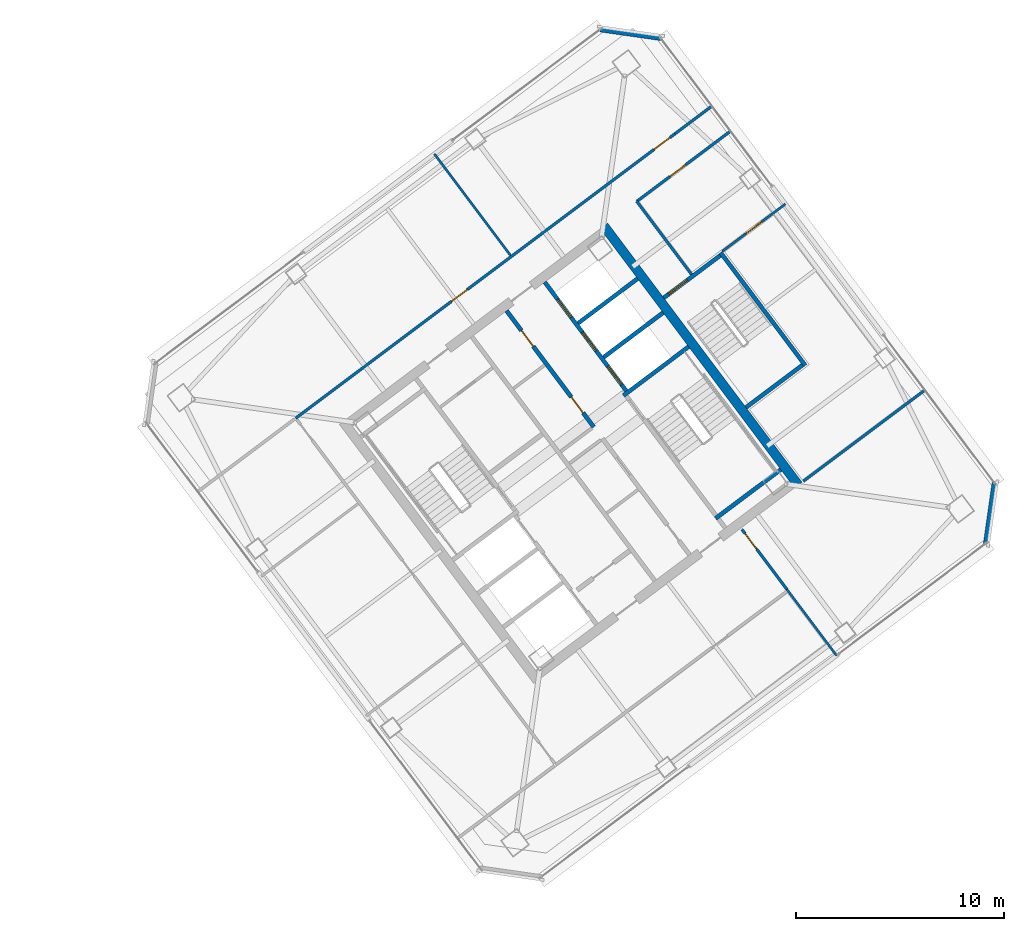
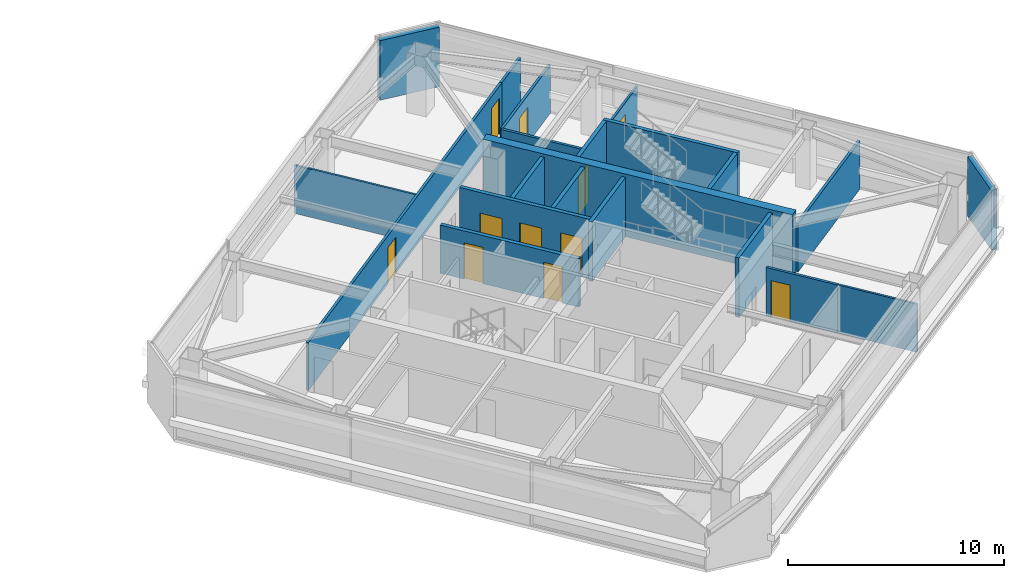
# One storey, part 32 of 39: 21 walls, 11 doors, 11 openings.
"""IFC4 building model written with IfcOpenShell, lengths in metres."""

from ifc_helpers import new_model, si_unit, direction, frame, frame_2d, origin, place, context, subcontext, project, spatial, rectangle, extrude, material, layer, layer_set, type_object, element, fill, save


model = new_model("IFC4")

# Units and contexts
model_context = context("Model", 3, precision=1e-05, world=origin(), true_north=direction((0.0, 1.0)))
body_context = subcontext(model_context, "Body", "Model", "MODEL_VIEW")
ifc_project = project(units=[si_unit("LENGTHUNIT", "METRE"), si_unit("AREAUNIT", "SQUARE_METRE"), si_unit("VOLUMEUNIT", "CUBIC_METRE"), si_unit("PLANEANGLEUNIT", "RADIAN"), si_unit("MASSUNIT", "GRAM", prefix="KILO")], contexts=[model_context])

# Site, building, storey
site_placement = place(None, origin())
site = spatial("IfcSite", under=ifc_project, at=site_placement, CompositionType="ELEMENT")
building_placement = place(site_placement, origin())
building = spatial("IfcBuilding", under=site, at=building_placement, Name="Tashvorn Skyway Center", CompositionType="ELEMENT")
storey_placement = place(building_placement, frame((0.0, 0.0, 207.75)))
storey = spatial("IfcBuildingStorey", under=building, at=storey_placement, Name="L56", CompositionType="ELEMENT", Elevation=207.75)

# Walls
ifc_material_1 = material(Name="Concrete C50/60", Category="concrete")
ifc_layer_1 = layer(ifc_material_1, 0.449951171875)
ifc_layer_set_1 = layer_set([ifc_layer_1], Name="Concrete C50/60")
wall_type_1 = type_object("IfcWallType", Name="WALL-CORE-450", PredefinedType="SHEAR", material=ifc_layer_set_1)
wall_1_placement = place(storey_placement, frame((115.60400390625, 42.952880859375, 0.0), z_axis=(0.0, 0.0, 1.0), x_axis=(0.600005007985, -0.799996243986, 0.0)))
element("IfcWall", 1, at=wall_1_placement, inside=storey, type_object=wall_type_1, Name="Tower 2 L56 East Core Shear Wall", PredefinedType="SHEAR", context=body_context, shape_type="SweptSolid", body=[
    extrude(rectangle(XDim=15.60009765625, YDim=0.449951171875, at=frame_2d((7.800048828125, 0.0))), origin(), (0.0, 0.0, 1.0), 3.550048828125),
])
ifc_material_2 = material(Name="Precast concrete C40/50", Category="concrete")
ifc_layer_2 = layer(ifc_material_2, 0.280029296875)
ifc_layer_set_2 = layer_set([ifc_layer_2], Name="Precast concrete C40/50")
wall_type_2 = type_object("IfcWallType", Name="WALL-EXT-280", PredefinedType="SOLIDWALL", material=ifc_layer_set_2)
for number, where, z_axis, x_axis, name in (
    (2, (115.419921875, 52.43994140625, 0.0), (0.0, 0.0, 1.0), (0.989954425158, -0.14138683146, 0.0), "Tower 2 L56 NE Precast Chamfer Wall"),
    (3, (134.43994140625, 30.580078125, 0.0), (0.0, 0.0, 1.0), (-0.14138683146, -0.989954425158, 0.0), "Tower 2 L56 SE Precast Chamfer Wall"),
):
    element("IfcWall", number, at=place(storey_placement, frame(where, z_axis=z_axis, x_axis=x_axis)), inside=storey, type_object=wall_type_2, Name=name, PredefinedType="SOLIDWALL", context=body_context, shape_type="SweptSolid", body=[
        extrude(rectangle(XDim=2.969970703125, YDim=0.280029296875, at=frame_2d((1.48486328125, 0.0))), origin(), (0.0, 0.0, 1.0), 3.3701171875),
    ])
ifc_material_3 = material(Name="Gypsum board on cold-formed steel stud framing", Category="steel")
ifc_layer_3 = layer(ifc_material_3, 0.110107421875)
ifc_layer_set_3 = layer_set([ifc_layer_3], Name="Gypsum board on cold-formed steel stud framing")
wall_type_3 = type_object("IfcWallType", Name="WALL-PART-110", PredefinedType="PARTITIONING", material=ifc_layer_set_3)
wall_2_placement = place(storey_placement, frame((111.092041015625, 41.5439453125, 0.0), z_axis=(0.0, 0.0, 1.0), x_axis=(-0.600006403464, 0.799995197362, 0.0)))
element("IfcWall", 4, at=wall_2_placement, inside=storey, type_object=wall_type_3, Name="Tower 2 L56 North Suite Partition 1", PredefinedType="PARTITIONING", context=body_context, shape_type="SweptSolid", body=[
    extrude(rectangle(XDim=6.10009765625, YDim=0.110107421875, at=frame_2d((3.050048828125, 0.0))), origin(), (0.0, 0.0, 1.0), 2.722900390625),
])
wall_3_placement = place(storey_placement, frame((126.80810546875, 22.256103515625, 0.0), z_axis=(0.0, 0.0, 1.0), x_axis=(-0.600019580308, 0.799985314394, 0.0)))
element("IfcWall", 5, at=wall_3_placement, inside=storey, type_object=wall_type_3, Name="Tower 2 L56 South-East Suite Wall", PredefinedType="PARTITIONING", context=body_context, shape_type="SweptSolid", body=[
    extrude(rectangle(XDim=3.989990234375, YDim=0.110107421875, at=frame_2d((1.9951171875, 0.0))), origin(), (0.0, 0.0, 1.0), 2.722900390625),
])

# Wall, opening, door
wall_4_placement = place(storey_placement, frame((124.343994140625, 44.008056640625, 0.0), z_axis=(0.0, 0.0, 1.0), x_axis=(-0.8, -0.6, 0.0)))
wall_4 = element("IfcWall", 6, at=wall_4_placement, inside=storey, type_object=wall_type_3, Name="Tower 2 L56 East Suite Partition 1", PredefinedType="PARTITIONING", context=body_context, shape_type="SweptSolid", body=[
    extrude(rectangle(XDim=3.800048828125, YDim=0.110107421875, at=frame_2d((1.89990234375, 0.0))), origin(), (0.0, 0.0, 1.0), 2.722900390625),
])
opening_1_placement = place(wall_4_placement, frame((1.425048828125, 0.0, 0.0)))
opening_1 = element("IfcOpeningElement", 7, at=opening_1_placement, cuts=wall_4, Name="Opening D-INT-950", PredefinedType="OPENING", context=body_context, shape_type="SweptSolid", body=[
    extrude(rectangle(XDim=0.949951171875, YDim=2.050048828125, at=frame_2d((0.47509765625, 1.02490234375))), frame((0.0, 0.06494140625, 0.0), z_axis=(0.0, -1.0, 0.0), x_axis=(1.0, 0.0, 0.0)), (0.0, 0.0, 1.0), 0.130126953125),
])
ifc_material_4 = material(Name="Solid-core architectural oak veneer door")
door_type_1 = type_object("IfcDoorType", Name="DOOR-INT-950", OperationType="NOTDEFINED", PredefinedType="DOOR", material=ifc_material_4)
door_1_placement = place(opening_1_placement, origin())
door_1 = element("IfcDoor", 8, at=door_1_placement, inside=storey, type_object=door_type_1, Name="Tower 2 L56 Corporate Office Door", OperationType="SINGLE_SWING_LEFT", OverallHeight=2.050048828125, OverallWidth=0.949951171875, PredefinedType="DOOR", context=body_context, shape_type="SweptSolid", body=[
    extrude(rectangle(XDim=0.949951171875, YDim=2.050048828125, at=frame_2d((0.47509765625, 1.02490234375))), frame((0.0, 0.02490234375, 0.0), z_axis=(0.0, -1.0, 0.0), x_axis=(1.0, 0.0, 0.0)), (0.0, 0.0, 1.0), 0.050048828125),
])
fill(opening_1, door_1)

# Wall
ifc_layer_4 = layer(ifc_material_3, 0.135009765625)
ifc_layer_set_4 = layer_set([ifc_layer_4], Name="Gypsum board on cold-formed steel stud framing")
wall_type_4 = type_object("IfcWallType", Name="WALL-PART-135", PredefinedType="PARTITIONING", material=ifc_layer_set_4)
wall_5_placement = place(storey_placement, frame((119.823974609375, 40.617919921875, 0.0), z_axis=(0.0, 0.0, 1.0), x_axis=(-0.599982243973, 0.800013316712, 0.0)))
element("IfcWall", 9, at=wall_5_placement, inside=storey, type_object=wall_type_4, Name="Tower 2 L56 Stair 3 Access Corridor Wall", PredefinedType="PARTITIONING", context=body_context, shape_type="SweptSolid", body=[
    extrude(rectangle(XDim=4.39990234375, YDim=0.135009765625, at=frame_2d((2.199951171875, 0.0))), origin(), (0.0, 0.0, 1.0), 2.722900390625),
])

# Wall, openings, doors
wall_6_placement = place(storey_placement, frame((100.756103515625, 33.69189453125, 0.0), z_axis=(0.0, 0.0, 1.0), x_axis=(0.799998716732, 0.60000171102, 0.0)))
wall_6 = element("IfcWall", 10, at=wall_6_placement, inside=storey, type_object=wall_type_4, Name="Tower 2 L56 North Suite Wall", PredefinedType="PARTITIONING", context=body_context, shape_type="SweptSolid", body=[
    extrude(rectangle(XDim=22.829833984375, YDim=0.135009765625, at=frame_2d((11.4150390625, 0.0))), origin(), (0.0, 0.0, 1.0), 2.722900390625),
])
opening_2_placement = place(wall_6_placement, frame((9.3798828125, 0.0, 0.0)))
opening_2 = element("IfcOpeningElement", 11, at=opening_2_placement, cuts=wall_6, Name="Opening D-INT-950", PredefinedType="OPENING", context=body_context, shape_type="SweptSolid", body=[
    extrude(rectangle(XDim=0.949951171875, YDim=2.050048828125, at=frame_2d((0.47509765625, 1.02490234375))), frame((0.0, 0.077392578125, 0.0), z_axis=(0.0, -1.0, 0.0), x_axis=(1.0, 0.0, 0.0)), (0.0, 0.0, 1.0), 0.155029296875),
])
opening_3_placement = place(wall_6_placement, frame((21.580078125, 0.0, 0.0)))
opening_3 = element("IfcOpeningElement", 12, at=opening_3_placement, cuts=wall_6, Name="Opening D-INT-950", PredefinedType="OPENING", context=body_context, shape_type="SweptSolid", body=[
    extrude(rectangle(XDim=0.949951171875, YDim=2.050048828125, at=frame_2d((0.47509765625, 1.02490234375))), frame((0.0, 0.077392578125, 0.0), z_axis=(0.0, -1.0, 0.0), x_axis=(1.0, 0.0, 0.0)), (0.0, 0.0, 1.0), 0.155029296875),
])
door_2_placement = place(opening_2_placement, origin())
door_2 = element("IfcDoor", 13, at=door_2_placement, inside=storey, type_object=door_type_1, Name="Tower 2 L56 Wellness Clinic Door", OperationType="SINGLE_SWING_RIGHT", OverallHeight=2.050048828125, OverallWidth=0.949951171875, PredefinedType="DOOR", context=body_context, shape_type="SweptSolid", body=[
    extrude(rectangle(XDim=0.949951171875, YDim=2.050048828125, at=frame_2d((0.47509765625, 1.02490234375))), frame((0.0, 0.02490234375, 0.0), z_axis=(0.0, -1.0, 0.0), x_axis=(1.0, 0.0, 0.0)), (0.0, 0.0, 1.0), 0.050048828125),
])
fill(opening_2, door_2)
door_3_placement = place(opening_3_placement, origin())
door_3 = element("IfcDoor", 14, at=door_3_placement, inside=storey, type_object=door_type_1, Name="Tower 2 L56 Wellness Clinic Door", OperationType="SINGLE_SWING_LEFT", OverallHeight=2.050048828125, OverallWidth=0.949951171875, PredefinedType="DOOR", context=body_context, shape_type="SweptSolid", body=[
    extrude(rectangle(XDim=0.949951171875, YDim=2.050048828125, at=frame_2d((0.47509765625, 1.02490234375))), frame((0.0, 0.02490234375, 0.0), z_axis=(0.0, -1.0, 0.0), x_axis=(1.0, 0.0, 0.0)), (0.0, 0.0, 1.0), 0.050048828125),
])
fill(opening_3, door_3)

# Wall
wall_7_placement = place(storey_placement, frame((119.02001953125, 47.389892578125, 0.0), z_axis=(0.0, 0.0, 1.0), x_axis=(0.799960585956, 0.600052548463, 0.0)))
element("IfcWall", 15, at=wall_7_placement, inside=storey, type_object=wall_type_4, Name="Tower 2 L56 North-East Suite South Wall", PredefinedType="PARTITIONING", context=body_context, shape_type="SweptSolid", body=[
    extrude(rectangle(XDim=2.22998046875, YDim=0.135009765625, at=frame_2d((1.114990234375, 0.0))), origin(), (0.0, 0.0, 1.0), 2.722900390625),
])

# Wall, opening, door
wall_8_placement = place(storey_placement, frame((122.248046875, 28.3359375, 0.0), z_axis=(0.0, 0.0, 1.0), x_axis=(0.600010820699, -0.799991884361, 0.0)))
wall_8 = element("IfcWall", 16, at=wall_8_placement, inside=storey, type_object=wall_type_4, Name="Tower 2 L56 South Gallery End Wall", PredefinedType="PARTITIONING", context=body_context, shape_type="SweptSolid", body=[
    extrude(rectangle(XDim=3.60986328125, YDim=0.135009765625, at=frame_2d((1.804931640625, 0.0))), origin(), (0.0, 0.0, 1.0), 2.722900390625),
])
opening_4_placement = place(wall_8_placement, frame((0.25, 0.0, 0.0)))
opening_4 = element("IfcOpeningElement", 17, at=opening_4_placement, cuts=wall_8, Name="Opening D-INT-950", PredefinedType="OPENING", context=body_context, shape_type="SweptSolid", body=[
    extrude(rectangle(XDim=0.949951171875, YDim=2.050048828125, at=frame_2d((0.47509765625, 1.02490234375))), frame((0.0, 0.077392578125, 0.0), z_axis=(0.0, -1.0, 0.0), x_axis=(1.0, 0.0, 0.0)), (0.0, 0.0, 1.0), 0.155029296875),
])
door_4_placement = place(opening_4_placement, origin())
door_4 = element("IfcDoor", 18, at=door_4_placement, inside=storey, type_object=door_type_1, Name="Tower 2 L56 Operations Control Room Door", OperationType="SINGLE_SWING_LEFT", OverallHeight=2.050048828125, OverallWidth=0.949951171875, PredefinedType="DOOR", context=body_context, shape_type="SweptSolid", body=[
    extrude(rectangle(XDim=0.949951171875, YDim=2.050048828125, at=frame_2d((0.47509765625, 1.02490234375))), frame((0.0, 0.02490234375, 0.0), z_axis=(0.0, -1.0, 0.0), x_axis=(1.0, 0.0, 0.0)), (0.0, 0.0, 1.0), 0.050048828125),
])
fill(opening_4, door_4)

wall_9_placement = place(storey_placement, frame((121.7041015625, 47.528076171875, 0.0), z_axis=(0.0, 0.0, 1.0), x_axis=(-0.799989629485, -0.600013827105, 0.0)))
wall_9 = element("IfcWall", 19, at=wall_9_placement, inside=storey, type_object=wall_type_4, Name="Tower 2 L56 East Suite North Wall", PredefinedType="PARTITIONING", context=body_context, shape_type="SweptSolid", body=[
    extrude(rectangle(XDim=5.650146484375, YDim=0.135009765625, at=frame_2d((2.8251953125, 0.0))), origin(), (0.0, 0.0, 1.0), 2.722900390625),
])
opening_5_placement = place(wall_9_placement, frame((2.699951171875, 0.0, 0.0)))
opening_5 = element("IfcOpeningElement", 20, at=opening_5_placement, cuts=wall_9, Name="Opening D-INT-950", PredefinedType="OPENING", context=body_context, shape_type="SweptSolid", body=[
    extrude(rectangle(XDim=0.949951171875, YDim=2.050048828125, at=frame_2d((0.47509765625, 1.02490234375))), frame((0.0, 0.077392578125, 0.0), z_axis=(0.0, -1.0, 0.0), x_axis=(1.0, 0.0, 0.0)), (0.0, 0.0, 1.0), 0.155029296875),
])
door_5_placement = place(opening_5_placement, origin())
door_5 = element("IfcDoor", 21, at=door_5_placement, inside=storey, type_object=door_type_1, Name="Tower 2 L56 Operations Control Room Door", OperationType="SINGLE_SWING_RIGHT", OverallHeight=2.050048828125, OverallWidth=0.949951171875, PredefinedType="DOOR", context=body_context, shape_type="SweptSolid", body=[
    extrude(rectangle(XDim=0.949951171875, YDim=2.050048828125, at=frame_2d((0.47509765625, 1.02490234375))), frame((0.0, 0.02490234375, 0.0), z_axis=(0.0, -1.0, 0.0), x_axis=(1.0, 0.0, 0.0)), (0.0, 0.0, 1.0), 0.050048828125),
])
fill(opening_5, door_5)

# Walls
wall_10_placement = place(storey_placement, frame((125.2080078125, 30.656005859375, 0.0), z_axis=(0.0, 0.0, 1.0), x_axis=(0.79999199534, 0.600010672732, 0.0)))
element("IfcWall", 22, at=wall_10_placement, inside=storey, type_object=wall_type_4, Name="Tower 2 L56 East Suite South Wall", PredefinedType="PARTITIONING", context=body_context, shape_type="SweptSolid", body=[
    extrude(rectangle(XDim=7.320068359375, YDim=0.135009765625, at=frame_2d((3.66015625, 0.0))), origin(), (0.0, 0.0, 1.0), 2.722900390625),
])
ifc_material_5 = material(Name="Concrete C40/50", Category="concrete")
ifc_layer_5 = layer(ifc_material_5, 0.199951171875)
ifc_layer_set_5 = layer_set([ifc_layer_5], Name="Concrete C40/50")
wall_type_5 = type_object("IfcWallType", Name="WALL-SHAFT-200", PredefinedType="SOLIDWALL", material=ifc_layer_set_5)
for number, where, z_axis, x_axis, name in (
    (23, (115.590087890625, 36.6298828125, 0.0), (0.0, 0.0, 1.0), (0.799975449747, 0.600032732276, 0.0), "Tower 2 L56 High-Rise Shaft Divider"),
    (24, (114.360107421875, 38.27001953125, 0.0), (0.0, 0.0, 1.0), (0.800008183455, 0.599989088572, 0.0), "Tower 2 L56 High-Rise Shaft Divider"),
):
    element("IfcWall", number, at=place(storey_placement, frame(where, z_axis=z_axis, x_axis=x_axis)), inside=storey, type_object=wall_type_5, Name=name, PredefinedType="SOLIDWALL", context=body_context, shape_type="SweptSolid", body=[
        extrude(rectangle(XDim=3.580078125, YDim=0.199951171875, at=frame_2d((1.7900390625, 0.0))), origin(), (0.0, 0.0, 1.0), 3.3701171875),
    ])

# Wall, openings, doors
wall_11_placement = place(storey_placement, frame((115.110107421875, 33.27001953125, 0.0), z_axis=(0.0, 0.0, 1.0), x_axis=(-0.600011160345, 0.79999162962, 0.0)))
wall_11 = element("IfcWall", 25, at=wall_11_placement, inside=storey, type_object=wall_type_5, Name="Tower 2 L56 Mid-Rise Core Wall", PredefinedType="SOLIDWALL", context=body_context, shape_type="SweptSolid", body=[
    extrude(rectangle(XDim=7.000244140625, YDim=0.199951171875, at=frame_2d((3.5, 0.0))), origin(), (0.0, 0.0, 1.0), 2.722900390625),
])
opening_6_placement = place(wall_11_placement, frame((0.85009765625, 0.0, 0.0)))
opening_6 = element("IfcOpeningElement", 26, at=opening_6_placement, cuts=wall_11, Name="Opening D-RT-950", PredefinedType="OPENING", context=body_context, shape_type="SweptSolid", body=[
    extrude(rectangle(XDim=0.949951171875, YDim=2.050048828125, at=frame_2d((0.47509765625, 1.02490234375))), frame((0.0, 0.10986328125, 0.0), z_axis=(0.0, -1.0, 0.0), x_axis=(1.0, 0.0, 0.0)), (0.0, 0.0, 1.0), 0.219970703125),
])
opening_7_placement = place(wall_11_placement, frame((4.85009765625, 0.0, 0.0)))
opening_7 = element("IfcOpeningElement", 27, at=opening_7_placement, cuts=wall_11, Name="Opening D-RT-950", PredefinedType="OPENING", context=body_context, shape_type="SweptSolid", body=[
    extrude(rectangle(XDim=0.949951171875, YDim=2.050048828125, at=frame_2d((0.47509765625, 1.02490234375))), frame((0.0, 0.10986328125, 0.0), z_axis=(0.0, -1.0, 0.0), x_axis=(1.0, 0.0, 0.0)), (0.0, 0.0, 1.0), 0.219970703125),
])
ifc_material_6 = material(Name="Hollow galvanized steel fire door assembly", Category="steel")
door_type_2 = type_object("IfcDoorType", Name="DOOR-RATED-950", OperationType="NOTDEFINED", PredefinedType="DOOR", material=ifc_material_6)
door_6_placement = place(opening_6_placement, origin())
door_6 = element("IfcDoor", 28, at=door_6_placement, inside=storey, type_object=door_type_2, Name="Tower 2 L56 Core IT Room Door", OperationType="SINGLE_SWING_RIGHT", OverallHeight=2.050048828125, OverallWidth=0.949951171875, PredefinedType="DOOR", context=body_context, shape_type="SweptSolid", body=[
    extrude(rectangle(XDim=0.949951171875, YDim=2.050048828125, at=frame_2d((0.47509765625, 1.02490234375))), frame((0.0, 0.02490234375, 0.0), z_axis=(0.0, -1.0, 0.0), x_axis=(1.0, 0.0, 0.0)), (0.0, 0.0, 1.0), 0.050048828125),
])
fill(opening_6, door_6)
door_7_placement = place(opening_7_placement, origin())
door_7 = element("IfcDoor", 29, at=door_7_placement, inside=storey, type_object=door_type_2, Name="Tower 2 L56 Core Catering Pantry Door", OperationType="SINGLE_SWING_LEFT", OverallHeight=2.050048828125, OverallWidth=0.949951171875, PredefinedType="DOOR", context=body_context, shape_type="SweptSolid", body=[
    extrude(rectangle(XDim=0.949951171875, YDim=2.050048828125, at=frame_2d((0.47509765625, 1.02490234375))), frame((0.0, 0.02490234375, 0.0), z_axis=(0.0, -1.0, 0.0), x_axis=(1.0, 0.0, 0.0)), (0.0, 0.0, 1.0), 0.050048828125),
])
fill(opening_7, door_7)

# Walls
ifc_layer_6 = layer(ifc_material_5, 0.199951171875)
ifc_layer_set_6 = layer_set([ifc_layer_6], Name="Concrete C40/50")
wall_type_6 = type_object("IfcWallType", Name="WALL-STSHF-200", PredefinedType="SHEAR", material=ifc_layer_set_6)
for number, where, z_axis, x_axis, name in (
    (30, (116.5400390625, 34.780029296875, 0.0), (0.0, 0.0, 1.0), (0.800014909178, 0.599980120581, 0.0), "Tower 2 L56 Stair 2 North Wall"),
    (31, (120.97998046875, 28.860107421875, 0.0), (0.0, 0.0, 1.0), (0.800014909178, 0.599980120581, 0.0), "Tower 2 L56 Stair 2 South Wall"),
):
    element("IfcWall", number, at=place(storey_placement, frame(where, z_axis=z_axis, x_axis=x_axis)), inside=storey, type_object=wall_type_6, Name=name, PredefinedType="SHEAR", context=body_context, shape_type="SweptSolid", body=[
        extrude(rectangle(XDim=3.929931640625, YDim=0.199951171875, at=frame_2d((1.96484375, 0.0))), origin(), (0.0, 0.0, 1.0), 3.3701171875),
    ])

# Wall, openings, doors
wall_12_placement = place(storey_placement, frame((112.75, 40.25, 0.0), z_axis=(0.0, 0.0, 1.0), x_axis=(0.599994036198, -0.800004472816, 0.0)))
wall_12 = element("IfcWall", 32, at=wall_12_placement, inside=storey, type_object=wall_type_6, Name="Tower 2 L56 High-Rise Lift Shaft Front Wall", PredefinedType="SHEAR", context=body_context, shape_type="SweptSolid", body=[
    extrude(rectangle(XDim=6.550048828125, YDim=0.199951171875, at=frame_2d((3.27490234375, 0.0))), origin(), (0.0, 0.0, 1.0), 3.3701171875),
])
opening_8_placement = place(wall_12_placement, frame((5.074951171875, 0.0, 0.0)))
opening_8 = element("IfcOpeningElement", 33, at=opening_8_placement, cuts=wall_12, Name="Opening LD-HR-T2-1-L56", PredefinedType="OPENING", context=body_context, shape_type="SweptSolid", body=[
    extrude(rectangle(XDim=1.10009765625, YDim=2.199951171875, at=frame_2d((0.550048828125, 1.10009765625))), frame((0.0, 0.10986328125, 0.0), z_axis=(0.0, -1.0, 0.0), x_axis=(1.0, 0.0, 0.0)), (0.0, 0.0, 1.0), 0.219970703125),
])
opening_9_placement = place(wall_12_placement, frame((3.02490234375, 0.0, 0.0)))
opening_9 = element("IfcOpeningElement", 34, at=opening_9_placement, cuts=wall_12, Name="Opening LD-HR-T2-2-L56", PredefinedType="OPENING", context=body_context, shape_type="SweptSolid", body=[
    extrude(rectangle(XDim=1.10009765625, YDim=2.199951171875, at=frame_2d((0.550048828125, 1.10009765625))), frame((0.0, 0.10986328125, 0.0), z_axis=(0.0, -1.0, 0.0), x_axis=(1.0, 0.0, 0.0)), (0.0, 0.0, 1.0), 0.219970703125),
])
opening_10_placement = place(wall_12_placement, frame((1.02490234375, 0.0, 0.0)))
opening_10 = element("IfcOpeningElement", 35, at=opening_10_placement, cuts=wall_12, Name="Opening LD-HR-T2-3-L56", PredefinedType="OPENING", context=body_context, shape_type="SweptSolid", body=[
    extrude(rectangle(XDim=1.10009765625, YDim=2.199951171875, at=frame_2d((0.550048828125, 1.10009765625))), frame((0.0, 0.10986328125, 0.0), z_axis=(0.0, -1.0, 0.0), x_axis=(1.0, 0.0, 0.0)), (0.0, 0.0, 1.0), 0.219970703125),
])
ifc_material_7 = material(Name="Stainless steel landing door", Category="steel")
door_type_3 = type_object("IfcDoorType", Name="DOOR-LIFT-1100", OperationType="SLIDING_TO_LEFT", PredefinedType="DOOR", material=ifc_material_7)
door_8_placement = place(opening_8_placement, origin())
door_8 = element("IfcDoor", 36, at=door_8_placement, inside=storey, type_object=door_type_3, Name="Lift HR-T2-1 L56 Landing Door", OperationType="SLIDING_TO_LEFT", OverallHeight=2.199951171875, OverallWidth=1.10009765625, PredefinedType="DOOR", context=body_context, shape_type="SweptSolid", body=[
    extrude(rectangle(XDim=1.10009765625, YDim=2.199951171875, at=frame_2d((0.550048828125, 1.10009765625))), frame((0.0, 0.02490234375, 0.0), z_axis=(0.0, -1.0, 0.0), x_axis=(1.0, 0.0, 0.0)), (0.0, 0.0, 1.0), 0.050048828125),
])
fill(opening_8, door_8)
door_9_placement = place(opening_9_placement, origin())
door_9 = element("IfcDoor", 37, at=door_9_placement, inside=storey, type_object=door_type_3, Name="Lift HR-T2-2 L56 Landing Door", OperationType="SLIDING_TO_LEFT", OverallHeight=2.199951171875, OverallWidth=1.10009765625, PredefinedType="DOOR", context=body_context, shape_type="SweptSolid", body=[
    extrude(rectangle(XDim=1.10009765625, YDim=2.199951171875, at=frame_2d((0.550048828125, 1.10009765625))), frame((0.0, 0.02490234375, 0.0), z_axis=(0.0, -1.0, 0.0), x_axis=(1.0, 0.0, 0.0)), (0.0, 0.0, 1.0), 0.050048828125),
])
fill(opening_9, door_9)
door_10_placement = place(opening_10_placement, origin())
door_10 = element("IfcDoor", 38, at=door_10_placement, inside=storey, type_object=door_type_3, Name="Lift HR-T2-3 L56 Landing Door", OperationType="SLIDING_TO_LEFT", OverallHeight=2.199951171875, OverallWidth=1.10009765625, PredefinedType="DOOR", context=body_context, shape_type="SweptSolid", body=[
    extrude(rectangle(XDim=1.10009765625, YDim=2.199951171875, at=frame_2d((0.550048828125, 1.10009765625))), frame((0.0, 0.02490234375, 0.0), z_axis=(0.0, -1.0, 0.0), x_axis=(1.0, 0.0, 0.0)), (0.0, 0.0, 1.0), 0.050048828125),
])
fill(opening_10, door_10)

# Wall
wall_13_placement = place(storey_placement, frame((125.303955078125, 36.22802734375, 0.0), z_axis=(0.0, 0.0, 1.0), x_axis=(-0.59998851072, 0.800008616831, 0.0)))
element("IfcWall", 39, at=wall_13_placement, inside=storey, type_object=wall_type_6, Name="Tower 2 L56 Stair 3 Outer Wall", PredefinedType="SHEAR", context=body_context, shape_type="SweptSolid", body=[
    extrude(rectangle(XDim=6.7998046875, YDim=0.199951171875, at=frame_2d((3.39990234375, 0.0))), origin(), (0.0, 0.0, 1.0), 3.3701171875),
])

# Wall, opening, door
wall_14_placement = place(storey_placement, frame((121.2041015625, 41.528076171875, 0.0), z_axis=(0.0, 0.0, 1.0), x_axis=(-0.800017232136, -0.599977023131, 0.0)))
wall_14 = element("IfcWall", 40, at=wall_14_placement, inside=storey, type_object=wall_type_6, Name="Tower 2 L56 Stair 3 Enclosure Wall", PredefinedType="SHEAR", context=body_context, shape_type="SweptSolid", body=[
    extrude(rectangle(XDim=3.400146484375, YDim=0.199951171875, at=frame_2d((1.7001953125, 0.0))), origin(), (0.0, 0.0, 1.0), 3.3701171875),
])
opening_11_placement = place(wall_14_placement, frame((1.97509765625, 0.0, 0.0)))
opening_11 = element("IfcOpeningElement", 41, at=opening_11_placement, cuts=wall_14, Name="Opening D-ST-1150", PredefinedType="OPENING", context=body_context, shape_type="SweptSolid", body=[
    extrude(rectangle(XDim=1.14990234375, YDim=2.199951171875, at=frame_2d((0.574951171875, 1.10009765625))), frame((0.0, 0.10986328125, 0.0), z_axis=(0.0, -1.0, 0.0), x_axis=(1.0, 0.0, 0.0)), (0.0, 0.0, 1.0), 0.219970703125),
])
door_type_4 = type_object("IfcDoorType", Name="DOOR-STAIR-1150", OperationType="NOTDEFINED", PredefinedType="DOOR", material=ifc_material_6)
door_11_placement = place(opening_11_placement, origin())
door_11 = element("IfcDoor", 42, at=door_11_placement, inside=storey, type_object=door_type_4, Name="Tower 2 L56 Exit Stair 3 Door", OperationType="SINGLE_SWING_RIGHT", OverallHeight=2.199951171875, OverallWidth=1.14990234375, PredefinedType="DOOR", context=body_context, shape_type="SweptSolid", body=[
    extrude(rectangle(XDim=1.14990234375, YDim=2.199951171875, at=frame_2d((0.574951171875, 1.10009765625))), frame((0.0, 0.02490234375, 0.0), z_axis=(0.0, -1.0, 0.0), x_axis=(1.0, 0.0, 0.0)), (0.0, 0.0, 1.0), 0.050048828125),
])
fill(opening_11, door_11)

# Wall
wall_15_placement = place(storey_placement, frame((122.444091796875, 34.2080078125, 0.0), z_axis=(0.0, 0.0, 1.0), x_axis=(0.79999138319, 0.600011488909, 0.0)))
element("IfcWall", 43, at=wall_15_placement, inside=storey, type_object=wall_type_6, Name="Tower 2 L56 Stair 3 South Wall", PredefinedType="SHEAR", context=body_context, shape_type="SweptSolid", body=[
    extrude(rectangle(XDim=3.39990234375, YDim=0.199951171875, at=frame_2d((1.699951171875, 0.0))), origin(), (0.0, 0.0, 1.0), 3.3701171875),
])

save(model, "model.ifc")
